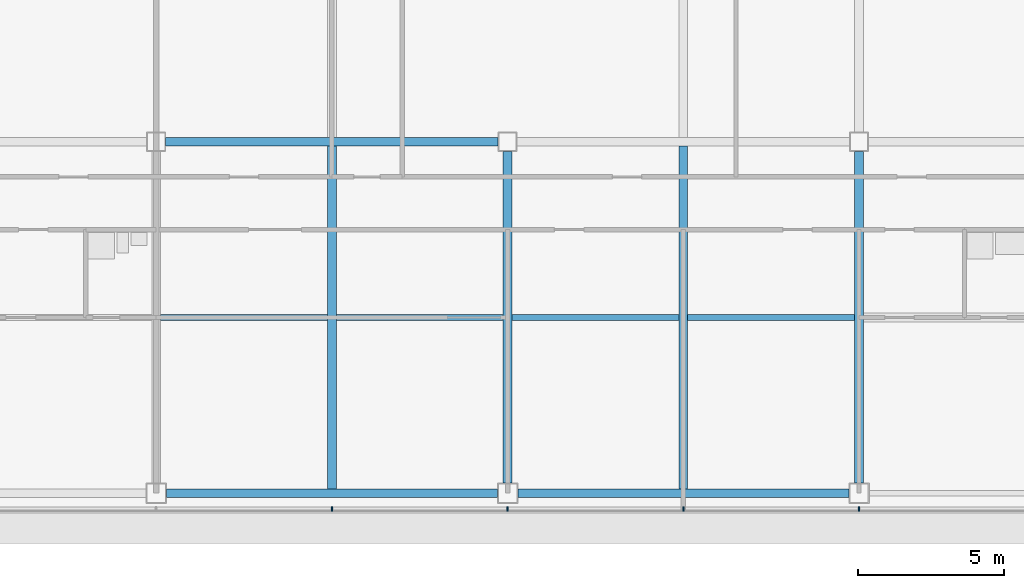
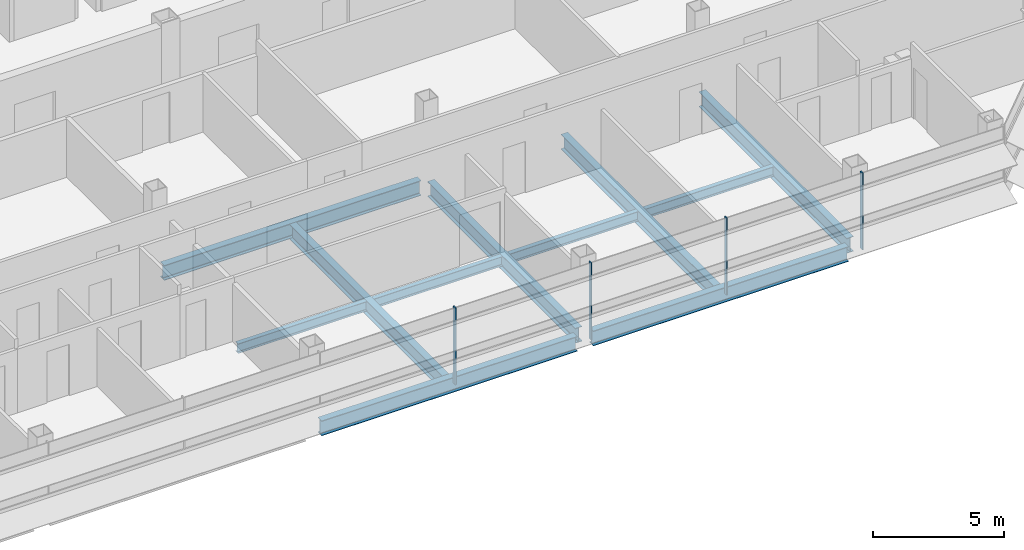
# One storey, part 8 of 26: 11 beams, 4 members, 1 element without a shape of its own.
"""IFC4 building model written with IfcOpenShell, lengths in metres."""

from ifc_helpers import new_model, si_unit, direction, frame, origin, origin_2d, place, context, subcontext, project, spatial, rectangle, i_section, extrude, material, material_profile, profile_set, type_object, element, aggregate, save


model = new_model("IFC4")

# Units and contexts
model_context = context("Model", 3, precision=1e-05, world=origin(), true_north=direction((0.0, 1.0)))
body_context = subcontext(model_context, "Body", "Model", "MODEL_VIEW")
ifc_project = project(units=[si_unit("LENGTHUNIT", "METRE"), si_unit("AREAUNIT", "SQUARE_METRE"), si_unit("VOLUMEUNIT", "CUBIC_METRE"), si_unit("PLANEANGLEUNIT", "RADIAN"), si_unit("MASSUNIT", "GRAM", prefix="KILO")], contexts=[model_context])

# Site, building, storey
site_placement = place(None, origin())
site = spatial("IfcSite", under=ifc_project, at=site_placement, CompositionType="ELEMENT")
building_placement = place(site_placement, origin())
building = spatial("IfcBuilding", under=site, at=building_placement, Name="Sorahane Residences", CompositionType="ELEMENT")
storey_placement = place(building_placement, frame((0.0, 0.0, 151.0)))
storey = spatial("IfcBuildingStorey", under=building, at=storey_placement, Name="L34", CompositionType="ELEMENT", Elevation=151.0)

# Curtain wall, members
ifc_material_1 = material(Name="Dark low-e glass and black anodised aluminium", Category="aluminium")
curtain_wall_type = type_object("IfcCurtainWallType", Name="Curtain wall CW-1 Typical unitised wall", PredefinedType="NOTDEFINED", material=ifc_material_1)
curtain_wall_placement = place(storey_placement, origin())
curtain_wall = element("IfcCurtainWall", 1, at=curtain_wall_placement, inside=storey, type_object=curtain_wall_type, Name="CW-1 curtain wall L34 S1", PredefinedType="NOTDEFINED")
ifc_material_2 = material(Name="Black anodised aluminium", Category="aluminium")
ifc_material_profile_1 = material_profile(ifc_material_2, rectangle(XDim=0.159912109375, YDim=0.050048828125, at=origin_2d()), Name="Curtain wall mullion CW-1 black anodised aluminium 50x160")
ifc_profile_set_1 = profile_set([ifc_material_profile_1], Name="Black anodised aluminium")
member_type = type_object("IfcMemberType", Name="Curtain wall mullion CW-1 black anodised aluminium 50x160", PredefinedType="MULLION", material=ifc_profile_set_1)
member_1_placement = place(storey_placement, frame((30.0, -0.5400390625, -0.179931640625), z_axis=(0.0, 0.0, 1.0), x_axis=(0.0, -1.0, 0.0)))
member_1 = element("IfcMember", 2, at=member_1_placement, type_object=member_type, Name="CW-1 mullion L34 S1.6", PredefinedType="MULLION", context=body_context, shape_type="SweptSolid", body=[
    extrude(rectangle(XDim=0.159912109375, YDim=0.050048828125, at=origin_2d()), origin(), (0.0, 0.0, 1.0), 3.599853515625),
])
member_2_placement = place(storey_placement, frame((36.0, -0.5400390625, -0.179931640625), z_axis=(0.0, 0.0, 1.0), x_axis=(0.0, -1.0, 0.0)))
member_2 = element("IfcMember", 3, at=member_2_placement, type_object=member_type, Name="CW-1 mullion L34 S1.7", PredefinedType="MULLION", context=body_context, shape_type="SweptSolid", body=[
    extrude(rectangle(XDim=0.159912109375, YDim=0.050048828125, at=origin_2d()), origin(), (0.0, 0.0, 1.0), 3.599853515625),
])
member_3_placement = place(storey_placement, frame((42.0, -0.5400390625, -0.179931640625), z_axis=(0.0, 0.0, 1.0), x_axis=(0.0, -1.0, 0.0)))
member_3 = element("IfcMember", 4, at=member_3_placement, type_object=member_type, Name="CW-1 mullion L34 S1.8", PredefinedType="MULLION", context=body_context, shape_type="SweptSolid", body=[
    extrude(rectangle(XDim=0.159912109375, YDim=0.050048828125, at=origin_2d()), origin(), (0.0, 0.0, 1.0), 3.599853515625),
])
member_4_placement = place(storey_placement, frame((48.0, -0.5400390625, -0.179931640625), z_axis=(0.0, 0.0, 1.0), x_axis=(0.0, -1.0, 0.0)))
member_4 = element("IfcMember", 5, at=member_4_placement, type_object=member_type, Name="CW-1 mullion L34 S1.9", PredefinedType="MULLION", context=body_context, shape_type="SweptSolid", body=[
    extrude(rectangle(XDim=0.159912109375, YDim=0.050048828125, at=origin_2d()), origin(), (0.0, 0.0, 1.0), 3.599853515625),
])
aggregate(curtain_wall, [member_1, member_2, member_3, member_4])

# Beams
ifc_material_3 = material(Name="Steel Q355B", Category="steel")
ifc_material_profile_2 = material_profile(ifc_material_3, i_section(OverallWidth=0.199951171875, OverallDepth=0.449951171875, WebThickness=0.009033203125, FlangeThickness=0.013916015625, FilletRadius=0.02001953125, at=origin_2d()), Name="HN 450x200x9x14")
ifc_profile_set_2 = profile_set([ifc_material_profile_2], Name="Steel Q355B")
beam_type_1 = type_object("IfcBeamType", Name="Steel floor beam HN 450x200x9x14 Q355B", PredefinedType="BEAM", material=ifc_profile_set_2)
for number, where, z_axis, x_axis, name in (
    (6, (24.14990234375, 6.0, -0.405029296875), (1.0, 0.0, 0.0), (0.0, 1.0, 0.0), "Beam L34 073"),
    (7, (30.14990234375, 6.0, -0.405029296875), (1.0, 0.0, 0.0), (0.0, 1.0, 0.0), "Beam L34 074"),
    (8, (36.14990234375, 6.0, -0.405029296875), (1.0, 0.0, 0.0), (0.0, 1.0, 0.0), "Beam L34 075"),
    (9, (42.14990234375, 6.0, -0.405029296875), (1.0, 0.0, 0.0), (0.0, 1.0, 0.0), "Beam L34 076"),
):
    element("IfcBeam", number, at=place(storey_placement, frame(where, z_axis=z_axis, x_axis=x_axis)), inside=storey, type_object=beam_type_1, Name=name, PredefinedType="BEAM", context=body_context, shape_type="SweptSolid", body=[
        extrude(i_section(OverallWidth=0.199951171875, OverallDepth=0.449951171875, WebThickness=0.009033203125, FlangeThickness=0.013916015625, FilletRadius=0.02001953125, at=origin_2d()), origin(), (0.0, 0.0, 1.0), 5.7001953125),
    ])
ifc_material_4 = material(Name="Steel Q355B", Category="steel")
ifc_material_profile_3 = material_profile(ifc_material_4, i_section(OverallWidth=0.300048828125, OverallDepth=0.699951171875, WebThickness=0.012939453125, FlangeThickness=0.02392578125, FilletRadius=0.028076171875, at=origin_2d()), Name="HN 700x300x13x24")
ifc_profile_set_3 = profile_set([ifc_material_profile_3], Name="Steel Q355B")
beam_type_2 = type_object("IfcBeamType", Name="Steel floor beam HN 700x300x13x24 Q355B", PredefinedType="BEAM", material=ifc_profile_set_3)
for number, where, z_axis, x_axis, name in (
    (10, (24.35009765625, 0.0, -0.530029296875), (1.0, 0.0, 0.0), (0.0, 1.0, 0.0), "Beam L34 002"),
    (11, (36.35009765625, 0.0, -0.530029296875), (1.0, 0.0, 0.0), (0.0, 1.0, 0.0), "Beam L34 003"),
):
    element("IfcBeam", number, at=place(storey_placement, frame(where, z_axis=z_axis, x_axis=x_axis)), inside=storey, type_object=beam_type_2, Name=name, PredefinedType="BEAM", context=body_context, shape_type="SweptSolid", body=[
        extrude(i_section(OverallWidth=0.300048828125, OverallDepth=0.699951171875, WebThickness=0.012939453125, FlangeThickness=0.02392578125, FilletRadius=0.028076171875, at=origin_2d()), origin(), (0.0, 0.0, 1.0), 11.2998046875),
    ])
beam_1_placement = place(storey_placement, frame((24.324951171875, 12.0, -0.530029296875), z_axis=(1.0, 0.0, 0.0), x_axis=(0.0, 1.0, 0.0)))
element("IfcBeam", 12, at=beam_1_placement, inside=storey, type_object=beam_type_2, Name="Beam L34 008", PredefinedType="BEAM", context=body_context, shape_type="SweptSolid", body=[
    extrude(i_section(OverallWidth=0.300048828125, OverallDepth=0.699951171875, WebThickness=0.012939453125, FlangeThickness=0.02392578125, FilletRadius=0.028076171875, at=origin_2d()), origin(), (0.0, 0.0, 1.0), 11.35009765625),
])
beam_2_placement = place(storey_placement, frame((30.0, 0.14990234375, -0.530029296875), z_axis=(0.0, 1.0, 0.0), x_axis=(-1.0, 0.0, 0.0)))
element("IfcBeam", 13, at=beam_2_placement, inside=storey, type_object=beam_type_2, Name="Beam L34 044", PredefinedType="BEAM", context=body_context, shape_type="SweptSolid", body=[
    extrude(i_section(OverallWidth=0.300048828125, OverallDepth=0.699951171875, WebThickness=0.012939453125, FlangeThickness=0.02392578125, FilletRadius=0.028076171875, at=origin_2d()), origin(), (0.0, 0.0, 1.0), 11.7001953125),
])
beam_3_placement = place(storey_placement, frame((36.0, 0.35009765625, -0.530029296875), z_axis=(0.0, 1.0, 0.0), x_axis=(-1.0, 0.0, 0.0)))
element("IfcBeam", 14, at=beam_3_placement, inside=storey, type_object=beam_type_2, Name="Beam L34 050", PredefinedType="BEAM", context=body_context, shape_type="SweptSolid", body=[
    extrude(i_section(OverallWidth=0.300048828125, OverallDepth=0.699951171875, WebThickness=0.012939453125, FlangeThickness=0.02392578125, FilletRadius=0.028076171875, at=origin_2d()), origin(), (0.0, 0.0, 1.0), 11.324951171875),
])
beam_4_placement = place(storey_placement, frame((42.0, 0.14990234375, -0.530029296875), z_axis=(0.0, 1.0, 0.0), x_axis=(-1.0, 0.0, 0.0)))
element("IfcBeam", 15, at=beam_4_placement, inside=storey, type_object=beam_type_2, Name="Beam L34 052", PredefinedType="BEAM", context=body_context, shape_type="SweptSolid", body=[
    extrude(i_section(OverallWidth=0.300048828125, OverallDepth=0.699951171875, WebThickness=0.012939453125, FlangeThickness=0.02392578125, FilletRadius=0.028076171875, at=origin_2d()), origin(), (0.0, 0.0, 1.0), 11.7001953125),
])
beam_5_placement = place(storey_placement, frame((48.0, 0.35009765625, -0.530029296875), z_axis=(0.0, 1.0, 0.0), x_axis=(-1.0, 0.0, 0.0)))
element("IfcBeam", 16, at=beam_5_placement, inside=storey, type_object=beam_type_2, Name="Beam L34 058", PredefinedType="BEAM", context=body_context, shape_type="SweptSolid", body=[
    extrude(i_section(OverallWidth=0.300048828125, OverallDepth=0.699951171875, WebThickness=0.012939453125, FlangeThickness=0.02392578125, FilletRadius=0.028076171875, at=origin_2d()), origin(), (0.0, 0.0, 1.0), 11.324951171875),
])

save(model, "model.ifc")
